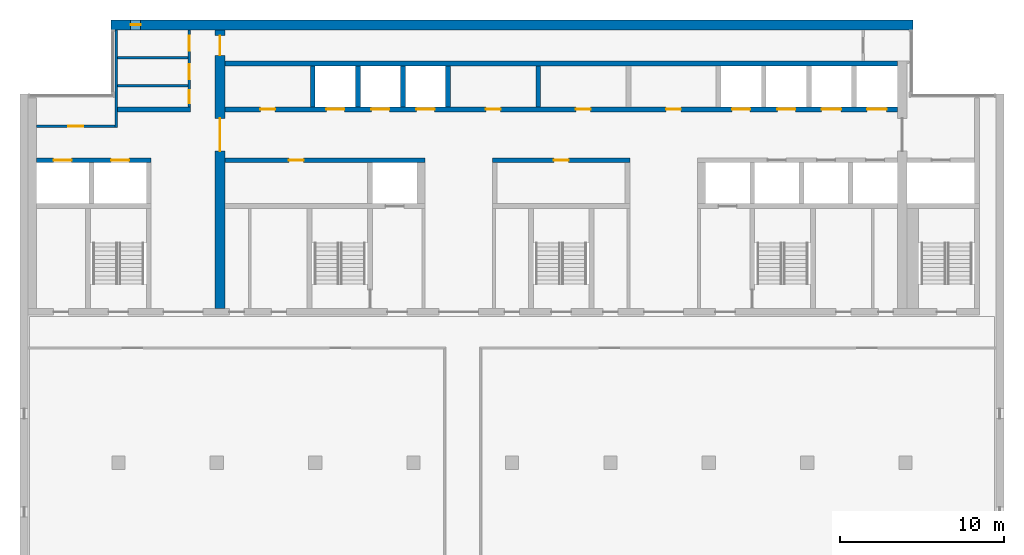
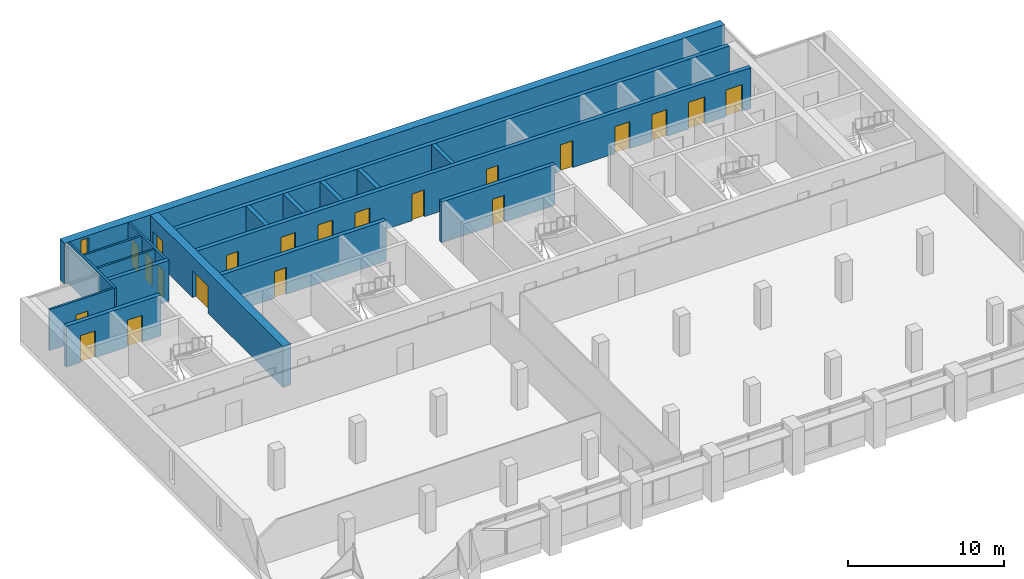
# One storey, part 10 of 14: 21 doors, 18 walls, 1 window, 22 openings.
"""IFC4 building model written with IfcOpenShell, lengths in metres."""

from ifc_helpers import new_model, si_unit, direction, frame, frame_2d, origin, place, context, subcontext, project, spatial, rectangle, extrude, material, layer, layer_set, type_object, element, fill, save


model = new_model("IFC4")

# Units and contexts
model_context = context("Model", 3, precision=1e-05, world=origin(), true_north=direction((0.0, 1.0)))
body_context = subcontext(model_context, "Body", "Model", "MODEL_VIEW")
ifc_project = project(units=[si_unit("LENGTHUNIT", "METRE"), si_unit("AREAUNIT", "SQUARE_METRE"), si_unit("VOLUMEUNIT", "CUBIC_METRE"), si_unit("PLANEANGLEUNIT", "RADIAN"), si_unit("MASSUNIT", "GRAM", prefix="KILO")], contexts=[model_context])

# Site, building, storey
site_placement = place(None, origin())
site = spatial("IfcSite", under=ifc_project, at=site_placement, CompositionType="ELEMENT")
building_placement = place(site_placement, origin())
building = spatial("IfcBuilding", under=site, at=building_placement, Name="Calvaro Tower", CompositionType="ELEMENT")
storey_placement = place(building_placement, frame((0.0, 0.0, 262.14990234375)))
storey = spatial("IfcBuildingStorey", under=building, at=storey_placement, Name="L66", CompositionType="ELEMENT", Elevation=262.14990234375)

# Walls
ifc_material_1 = material(Name="Blockwork partition", Category="masonry")
ifc_layer_1 = layer(ifc_material_1, 0.14990234375)
ifc_layer_set_1 = layer_set([ifc_layer_1], Name="Blockwork partition")
wall_type_1 = type_object("IfcWallType", Name="Core partition 150 EI 60", PredefinedType="PARTITIONING", material=ifc_layer_set_1)
for number, where, z_axis, x_axis, name in (
    (1, (11.949951171875, 42.0, 0.0), (0.0, 0.0, 1.0), (1.0, 0.0, 0.0), "Core partition"),
    (2, (11.949951171875, 43.699951171875, 0.0), (0.0, 0.0, 1.0), (1.0, 0.0, 0.0), "Core partition"),
):
    element("IfcWall", number, at=place(storey_placement, frame(where, z_axis=z_axis, x_axis=x_axis)), inside=storey, type_object=wall_type_1, Name=name, PredefinedType="PARTITIONING", context=body_context, shape_type="SweptSolid", body=[
        extrude(rectangle(XDim=4.300048828125, YDim=0.14990234375, at=frame_2d((2.14990234375, 0.0))), origin(), (0.0, 0.0, 1.0), 3.2001953125),
    ])

# Wall, openings, doors
ifc_material_2 = material(Name="Blockwork partition", Category="masonry")
ifc_layer_2 = layer(ifc_material_2, 0.14990234375)
ifc_layer_set_2 = layer_set([ifc_layer_2], Name="Blockwork partition")
wall_type_2 = type_object("IfcWallType", Name="Core partition 150 REI 120", PredefinedType="PARTITIONING", material=ifc_layer_set_2)
wall_1_placement = place(storey_placement, frame((16.324951171875, 45.39990234375, 0.0), z_axis=(0.0, 0.0, 1.0), x_axis=(0.0, -1.0, 0.0)))
wall_1 = element("IfcWall", 3, at=wall_1_placement, inside=storey, type_object=wall_type_2, Name="Core partition", PredefinedType="PARTITIONING", context=body_context, shape_type="SweptSolid", body=[
    extrude(rectangle(XDim=4.699951171875, YDim=0.14990234375, at=frame_2d((2.35009765625, 0.0))), origin(), (0.0, 0.0, 1.0), 3.2001953125),
])
opening_1_placement = place(wall_1_placement, frame((3.6875, 0.0, 0.0)))
opening_1 = element("IfcOpeningElement", 4, at=opening_1_placement, cuts=wall_1, Name="Opening RD8C", PredefinedType="OPENING", context=body_context, shape_type="SweptSolid", body=[
    extrude(rectangle(XDim=0.800048828125, YDim=2.10009765625, at=frame_2d((0.39990234375, 1.050048828125))), frame((0.0, 0.0849609375, 0.0), z_axis=(0.0, -1.0, 0.0), x_axis=(1.0, 0.0, 0.0)), (0.0, 0.0, 1.0), 0.169921875),
])
opening_2_placement = place(wall_1_placement, frame((2.10009765625, 0.0, 0.0)))
opening_2 = element("IfcOpeningElement", 5, at=opening_2_placement, cuts=wall_1, Name="Opening RD9", PredefinedType="OPENING", context=body_context, shape_type="SweptSolid", body=[
    extrude(rectangle(XDim=0.89990234375, YDim=2.10009765625, at=frame_2d((0.449951171875, 1.050048828125))), frame((0.0, 0.0849609375, 0.0), z_axis=(0.0, -1.0, 0.0), x_axis=(1.0, 0.0, 0.0)), (0.0, 0.0, 1.0), 0.169921875),
])
opening_3_placement = place(wall_1_placement, frame((0.362548828125, 0.0, 0.0)))
opening_3 = element("IfcOpeningElement", 6, at=opening_3_placement, cuts=wall_1, Name="Opening RD9", PredefinedType="OPENING", context=body_context, shape_type="SweptSolid", body=[
    extrude(rectangle(XDim=0.89990234375, YDim=2.10009765625, at=frame_2d((0.449951171875, 1.050048828125))), frame((0.0, 0.0849609375, 0.0), z_axis=(0.0, -1.0, 0.0), x_axis=(1.0, 0.0, 0.0)), (0.0, 0.0, 1.0), 0.169921875),
])
ifc_material_3 = material(Name="Steel door set", Category="steel")
door_type_1 = type_object("IfcDoorType", Name="Room door 800 FD30", OperationType="SINGLE_SWING_LEFT", PredefinedType="DOOR", material=ifc_material_3)
door_1_placement = place(opening_1_placement, origin())
door_1 = element("IfcDoor", 7, at=door_1_placement, inside=storey, type_object=door_type_1, Name="Room door", OperationType="SINGLE_SWING_RIGHT", OverallHeight=2.10009765625, OverallWidth=0.800048828125, PredefinedType="DOOR", context=body_context, shape_type="SweptSolid", body=[
    extrude(rectangle(XDim=0.800048828125, YDim=2.10009765625, at=frame_2d((0.39990234375, 1.050048828125))), frame((0.0, 0.02490234375, 0.0), z_axis=(0.0, -1.0, 0.0), x_axis=(1.0, 0.0, 0.0)), (0.0, 0.0, 1.0), 0.050048828125),
])
fill(opening_1, door_1)
ifc_material_4 = material(Name="Steel door set", Category="steel")
door_type_2 = type_object("IfcDoorType", Name="Room door 900", OperationType="SINGLE_SWING_LEFT", PredefinedType="DOOR", material=ifc_material_4)
door_2_placement = place(opening_2_placement, origin())
door_2 = element("IfcDoor", 8, at=door_2_placement, inside=storey, type_object=door_type_2, Name="Room door", OperationType="SINGLE_SWING_RIGHT", OverallHeight=2.10009765625, OverallWidth=0.89990234375, PredefinedType="DOOR", context=body_context, shape_type="SweptSolid", body=[
    extrude(rectangle(XDim=0.89990234375, YDim=2.10009765625, at=frame_2d((0.449951171875, 1.050048828125))), frame((0.0, 0.02490234375, 0.0), z_axis=(0.0, -1.0, 0.0), x_axis=(1.0, 0.0, 0.0)), (0.0, 0.0, 1.0), 0.050048828125),
])
fill(opening_2, door_2)
door_3_placement = place(opening_3_placement, origin())
door_3 = element("IfcDoor", 9, at=door_3_placement, inside=storey, type_object=door_type_2, Name="Room door", OperationType="SINGLE_SWING_RIGHT", OverallHeight=2.10009765625, OverallWidth=0.89990234375, PredefinedType="DOOR", context=body_context, shape_type="SweptSolid", body=[
    extrude(rectangle(XDim=0.89990234375, YDim=2.10009765625, at=frame_2d((0.449951171875, 1.050048828125))), frame((0.0, 0.02490234375, 0.0), z_axis=(0.0, -1.0, 0.0), x_axis=(1.0, 0.0, 0.0)), (0.0, 0.0, 1.0), 0.050048828125),
])
fill(opening_3, door_3)

# Wall
wall_2_placement = place(storey_placement, frame((11.875, 39.449951171875, 0.0), z_axis=(0.0, 0.0, 1.0), x_axis=(0.0, 1.0, 0.0)))
element("IfcWall", 10, at=wall_2_placement, inside=storey, type_object=wall_type_2, Name="Core partition", PredefinedType="PARTITIONING", context=body_context, shape_type="SweptSolid", body=[
    extrude(rectangle(XDim=5.949951171875, YDim=0.14990234375, at=frame_2d((2.97509765625, 0.0))), origin(), (0.0, 0.0, 1.0), 3.2001953125),
])

# Wall, opening, door
wall_3_placement = place(storey_placement, frame((7.0, 39.52490234375, 0.0), z_axis=(0.0, 0.0, 1.0), x_axis=(1.0, 0.0, 0.0)))
wall_3 = element("IfcWall", 11, at=wall_3_placement, inside=storey, type_object=wall_type_2, Name="Core partition", PredefinedType="PARTITIONING", context=body_context, shape_type="SweptSolid", body=[
    extrude(rectangle(XDim=4.800048828125, YDim=0.14990234375, at=frame_2d((2.39990234375, 0.0))), origin(), (0.0, 0.0, 1.0), 3.2001953125),
])
opening_4_placement = place(wall_3_placement, frame((1.949951171875, 0.0, 0.0)))
opening_4 = element("IfcOpeningElement", 12, at=opening_4_placement, cuts=wall_3, Name="Opening RD9", PredefinedType="OPENING", context=body_context, shape_type="SweptSolid", body=[
    extrude(rectangle(XDim=0.89990234375, YDim=2.10009765625, at=frame_2d((0.449951171875, 1.050048828125))), frame((0.0, 0.0849609375, 0.0), z_axis=(0.0, -1.0, 0.0), x_axis=(1.0, 0.0, 0.0)), (0.0, 0.0, 1.0), 0.169921875),
])
door_4_placement = place(opening_4_placement, origin())
door_4 = element("IfcDoor", 13, at=door_4_placement, inside=storey, type_object=door_type_2, Name="Room door", OperationType="SINGLE_SWING_LEFT", OverallHeight=2.10009765625, OverallWidth=0.89990234375, PredefinedType="DOOR", context=body_context, shape_type="SweptSolid", body=[
    extrude(rectangle(XDim=0.89990234375, YDim=2.10009765625, at=frame_2d((0.449951171875, 1.050048828125))), frame((0.0, 0.02490234375, 0.0), z_axis=(0.0, -1.0, 0.0), x_axis=(1.0, 0.0, 0.0)), (0.0, 0.0, 1.0), 0.050048828125),
])
fill(opening_4, door_4)

# Walls
ifc_material_5 = material(Name="Blockwork partition", Category="masonry")
ifc_layer_3 = layer(ifc_material_5, 0.300048828125)
ifc_layer_set_3 = layer_set([ifc_layer_3], Name="Blockwork partition")
wall_type_3 = type_object("IfcWallType", Name="Core partition 300 REI 120", PredefinedType="PARTITIONING", material=ifc_layer_set_3)
wall_4_placement = place(storey_placement, frame((11.949951171875, 40.550048828125, 0.0), z_axis=(0.0, 0.0, 1.0), x_axis=(1.0, 0.0, 0.0)))
element("IfcWall", 14, at=wall_4_placement, inside=storey, type_object=wall_type_3, Name="Core partition", PredefinedType="PARTITIONING", context=body_context, shape_type="SweptSolid", body=[
    extrude(rectangle(XDim=4.449951171875, YDim=0.300048828125, at=frame_2d((2.22509765625, 0.0))), origin(), (0.0, 0.0, 1.0), 3.2001953125),
])
wall_5_placement = place(storey_placement, frame((37.60009765625, 40.699951171875, 0.0), z_axis=(0.0, 0.0, 1.0), x_axis=(0.0, 1.0, 0.0)))
element("IfcWall", 15, at=wall_5_placement, inside=storey, type_object=wall_type_3, Name="Core partition", PredefinedType="PARTITIONING", context=body_context, shape_type="SweptSolid", body=[
    extrude(rectangle(XDim=2.5, YDim=0.300048828125, at=frame_2d((1.25, 0.0))), origin(), (0.0, 0.0, 1.0), 3.2001953125),
])

# Wall, openings, doors
ifc_material_6 = material(Name="Concrete C40/50", Category="concrete")
ifc_layer_4 = layer(ifc_material_6, 0.300048828125)
ifc_layer_set_4 = layer_set([ifc_layer_4], Name="Concrete C40/50")
wall_type_4 = type_object("IfcWallType", Name="Core wall C40/50 300", PredefinedType="SHEAR", material=ifc_layer_set_4)
wall_6_placement = place(storey_placement, frame((7.0, 37.449951171875, 0.0), z_axis=(0.0, 0.0, 1.0), x_axis=(1.0, 0.0, 0.0)))
wall_6 = element("IfcWall", 16, at=wall_6_placement, inside=storey, type_object=wall_type_4, Name="Core wall, lift shaft", PredefinedType="SHEAR", context=body_context, shape_type="SweptSolid", body=[
    extrude(rectangle(XDim=7.0, YDim=0.300048828125, at=frame_2d((3.5, 0.0))), origin(), (0.0, 0.0, 1.0), 3.2001953125),
])
opening_5_placement = place(wall_6_placement, frame((1.050048828125, 0.0, 0.0)))
opening_5 = element("IfcOpeningElement", 17, at=opening_5_placement, cuts=wall_6, Name="Opening EX1", PredefinedType="OPENING", context=body_context, shape_type="SweptSolid", body=[
    extrude(rectangle(XDim=1.10009765625, YDim=2.10009765625, at=frame_2d((0.550048828125, 1.050048828125))), frame((0.0, 0.159912109375, 0.0), z_axis=(0.0, -1.0, 0.0), x_axis=(1.0, 0.0, 0.0)), (0.0, 0.0, 1.0), 0.320068359375),
])
opening_6_placement = place(wall_6_placement, frame((4.550048828125, 0.0, 0.0)))
opening_6 = element("IfcOpeningElement", 18, at=opening_6_placement, cuts=wall_6, Name="Opening EX2", PredefinedType="OPENING", context=body_context, shape_type="SweptSolid", body=[
    extrude(rectangle(XDim=1.10009765625, YDim=2.10009765625, at=frame_2d((0.550048828125, 1.050048828125))), frame((0.0, 0.159912109375, 0.0), z_axis=(0.0, -1.0, 0.0), x_axis=(1.0, 0.0, 0.0)), (0.0, 0.0, 1.0), 0.320068359375),
])
ifc_material_7 = material(Name="Stainless steel", Category="steel")
door_type_3 = type_object("IfcDoorType", Name="Landing door 1100 E 60", OperationType="SLIDING_TO_LEFT", PredefinedType="DOOR", material=ifc_material_7)
door_5_placement = place(opening_5_placement, origin())
door_5 = element("IfcDoor", 19, at=door_5_placement, inside=storey, type_object=door_type_3, Name="Landing door EX1", OperationType="SLIDING_TO_LEFT", OverallHeight=2.10009765625, OverallWidth=1.10009765625, PredefinedType="DOOR", context=body_context, shape_type="SweptSolid", body=[
    extrude(rectangle(XDim=1.10009765625, YDim=2.10009765625, at=frame_2d((0.550048828125, 1.050048828125))), frame((0.0, 0.02490234375, 0.0), z_axis=(0.0, -1.0, 0.0), x_axis=(1.0, 0.0, 0.0)), (0.0, 0.0, 1.0), 0.050048828125),
])
fill(opening_5, door_5)
door_6_placement = place(opening_6_placement, origin())
door_6 = element("IfcDoor", 20, at=door_6_placement, inside=storey, type_object=door_type_3, Name="Landing door EX2", OperationType="SLIDING_TO_LEFT", OverallHeight=2.10009765625, OverallWidth=1.10009765625, PredefinedType="DOOR", context=body_context, shape_type="SweptSolid", body=[
    extrude(rectangle(XDim=1.10009765625, YDim=2.10009765625, at=frame_2d((0.550048828125, 1.050048828125))), frame((0.0, 0.02490234375, 0.0), z_axis=(0.0, -1.0, 0.0), x_axis=(1.0, 0.0, 0.0)), (0.0, 0.0, 1.0), 0.050048828125),
])
fill(opening_6, door_6)

# Wall, opening, door
wall_7_placement = place(storey_placement, frame((30.699951171875, 37.449951171875, 0.0), z_axis=(0.0, 0.0, 1.0), x_axis=(-1.0, 0.0, 0.0)))
wall_7 = element("IfcWall", 21, at=wall_7_placement, inside=storey, type_object=wall_type_4, Name="Core wall, bay", PredefinedType="SHEAR", context=body_context, shape_type="SweptSolid", body=[
    extrude(rectangle(XDim=12.199951171875, YDim=0.300048828125, at=frame_2d((6.10009765625, 0.0))), origin(), (0.0, 0.0, 1.0), 3.2001953125),
])
opening_7_placement = place(wall_7_placement, frame((7.39990234375, 0.0, 0.0)))
opening_7 = element("IfcOpeningElement", 22, at=opening_7_placement, cuts=wall_7, Name="Opening RD9E", PredefinedType="OPENING", context=body_context, shape_type="SweptSolid", body=[
    extrude(rectangle(XDim=0.89990234375, YDim=2.10009765625, at=frame_2d((0.449951171875, 1.050048828125))), frame((0.0, 0.159912109375, 0.0), z_axis=(0.0, -1.0, 0.0), x_axis=(1.0, 0.0, 0.0)), (0.0, 0.0, 1.0), 0.320068359375),
])
ifc_material_8 = material(Name="Steel door set", Category="steel")
door_type_4 = type_object("IfcDoorType", Name="Room door 900 FD60", OperationType="SINGLE_SWING_LEFT", PredefinedType="DOOR", material=ifc_material_8)
door_7_placement = place(opening_7_placement, origin())
door_7 = element("IfcDoor", 23, at=door_7_placement, inside=storey, type_object=door_type_4, Name="Room door", OperationType="SINGLE_SWING_LEFT", OverallHeight=2.10009765625, OverallWidth=0.89990234375, PredefinedType="DOOR", context=body_context, shape_type="SweptSolid", body=[
    extrude(rectangle(XDim=0.89990234375, YDim=2.10009765625, at=frame_2d((0.449951171875, 1.050048828125))), frame((0.0, 0.02490234375, 0.0), z_axis=(0.0, -1.0, 0.0), x_axis=(1.0, 0.0, 0.0)), (0.0, 0.0, 1.0), 0.050048828125),
])
fill(opening_7, door_7)

wall_8_placement = place(storey_placement, frame((43.199951171875, 37.449951171875, 0.0), z_axis=(0.0, 0.0, 1.0), x_axis=(-1.0, 0.0, 0.0)))
wall_8 = element("IfcWall", 24, at=wall_8_placement, inside=storey, type_object=wall_type_4, Name="Core wall, bay", PredefinedType="SHEAR", context=body_context, shape_type="SweptSolid", body=[
    extrude(rectangle(XDim=8.39990234375, YDim=0.300048828125, at=frame_2d((4.199951171875, 0.0))), origin(), (0.0, 0.0, 1.0), 3.2001953125),
])
opening_8_placement = place(wall_8_placement, frame((3.75, 0.0, 0.0)))
opening_8 = element("IfcOpeningElement", 25, at=opening_8_placement, cuts=wall_8, Name="Opening RD9E", PredefinedType="OPENING", context=body_context, shape_type="SweptSolid", body=[
    extrude(rectangle(XDim=0.89990234375, YDim=2.10009765625, at=frame_2d((0.449951171875, 1.050048828125))), frame((0.0, 0.159912109375, 0.0), z_axis=(0.0, -1.0, 0.0), x_axis=(1.0, 0.0, 0.0)), (0.0, 0.0, 1.0), 0.320068359375),
])
door_8_placement = place(opening_8_placement, origin())
door_8 = element("IfcDoor", 26, at=door_8_placement, inside=storey, type_object=door_type_4, Name="Room door", OperationType="SINGLE_SWING_RIGHT", OverallHeight=2.10009765625, OverallWidth=0.89990234375, PredefinedType="DOOR", context=body_context, shape_type="SweptSolid", body=[
    extrude(rectangle(XDim=0.89990234375, YDim=2.10009765625, at=frame_2d((0.449951171875, 1.050048828125))), frame((0.0, 0.02490234375, 0.0), z_axis=(0.0, -1.0, 0.0), x_axis=(1.0, 0.0, 0.0)), (0.0, 0.0, 1.0), 0.050048828125),
])
fill(opening_8, door_8)

# Wall, openings, doors
wall_9_placement = place(storey_placement, frame((18.5, 40.550048828125, 0.0), z_axis=(0.0, 0.0, 1.0), x_axis=(1.0, 0.0, 0.0)))
wall_9 = element("IfcWall", 27, at=wall_9_placement, inside=storey, type_object=wall_type_4, Name="Core wall, bay", PredefinedType="SHEAR", context=body_context, shape_type="SweptSolid", body=[
    extrude(rectangle(XDim=41.0, YDim=0.300048828125, at=frame_2d((20.5, 0.0))), origin(), (0.0, 0.0, 1.0), 3.2001953125),
])
opening_9_placement = place(wall_9_placement, frame((2.14990234375, 0.0, 0.0)))
opening_9 = element("IfcOpeningElement", 28, at=opening_9_placement, cuts=wall_9, Name="Opening RD9E", PredefinedType="OPENING", context=body_context, shape_type="SweptSolid", body=[
    extrude(rectangle(XDim=0.89990234375, YDim=2.10009765625, at=frame_2d((0.449951171875, 1.050048828125))), frame((0.0, 0.159912109375, 0.0), z_axis=(0.0, -1.0, 0.0), x_axis=(1.0, 0.0, 0.0)), (0.0, 0.0, 1.0), 0.320068359375),
])
opening_10_placement = place(wall_9_placement, frame((15.89990234375, 0.0, 0.0)))
opening_10 = element("IfcOpeningElement", 29, at=opening_10_placement, cuts=wall_9, Name="Opening RD9E", PredefinedType="OPENING", context=body_context, shape_type="SweptSolid", body=[
    extrude(rectangle(XDim=0.89990234375, YDim=2.10009765625, at=frame_2d((0.449951171875, 1.050048828125))), frame((0.0, 0.159912109375, 0.0), z_axis=(0.0, -1.0, 0.0), x_axis=(1.0, 0.0, 0.0)), (0.0, 0.0, 1.0), 0.320068359375),
])
opening_11_placement = place(wall_9_placement, frame((21.39990234375, 0.0, 0.0)))
opening_11 = element("IfcOpeningElement", 30, at=opening_11_placement, cuts=wall_9, Name="Opening RD9E", PredefinedType="OPENING", context=body_context, shape_type="SweptSolid", body=[
    extrude(rectangle(XDim=0.89990234375, YDim=2.10009765625, at=frame_2d((0.449951171875, 1.050048828125))), frame((0.0, 0.159912109375, 0.0), z_axis=(0.0, -1.0, 0.0), x_axis=(1.0, 0.0, 0.0)), (0.0, 0.0, 1.0), 0.320068359375),
])
opening_12_placement = place(wall_9_placement, frame((26.89990234375, 0.0, 0.0)))
opening_12 = element("IfcOpeningElement", 31, at=opening_12_placement, cuts=wall_9, Name="Opening RD9C", PredefinedType="OPENING", context=body_context, shape_type="SweptSolid", body=[
    extrude(rectangle(XDim=0.89990234375, YDim=2.10009765625, at=frame_2d((0.449951171875, 1.050048828125))), frame((0.0, 0.159912109375, 0.0), z_axis=(0.0, -1.0, 0.0), x_axis=(1.0, 0.0, 0.0)), (0.0, 0.0, 1.0), 0.320068359375),
])
opening_13_placement = place(wall_9_placement, frame((6.175048828125, 0.0, 0.0)))
opening_13 = element("IfcOpeningElement", 32, at=opening_13_placement, cuts=wall_9, Name="Opening HR4", PredefinedType="OPENING", context=body_context, shape_type="SweptSolid", body=[
    extrude(rectangle(XDim=1.10009765625, YDim=2.10009765625, at=frame_2d((0.550048828125, 1.050048828125))), frame((0.0, 0.159912109375, 0.0), z_axis=(0.0, -1.0, 0.0), x_axis=(1.0, 0.0, 0.0)), (0.0, 0.0, 1.0), 0.320068359375),
])
opening_14_placement = place(wall_9_placement, frame((8.925048828125, 0.0, 0.0)))
opening_14 = element("IfcOpeningElement", 33, at=opening_14_placement, cuts=wall_9, Name="Opening HR5", PredefinedType="OPENING", context=body_context, shape_type="SweptSolid", body=[
    extrude(rectangle(XDim=1.10009765625, YDim=2.10009765625, at=frame_2d((0.550048828125, 1.050048828125))), frame((0.0, 0.159912109375, 0.0), z_axis=(0.0, -1.0, 0.0), x_axis=(1.0, 0.0, 0.0)), (0.0, 0.0, 1.0), 0.320068359375),
])
opening_15_placement = place(wall_9_placement, frame((11.675048828125, 0.0, 0.0)))
opening_15 = element("IfcOpeningElement", 34, at=opening_15_placement, cuts=wall_9, Name="Opening HR6", PredefinedType="OPENING", context=body_context, shape_type="SweptSolid", body=[
    extrude(rectangle(XDim=1.10009765625, YDim=2.10009765625, at=frame_2d((0.550048828125, 1.050048828125))), frame((0.0, 0.159912109375, 0.0), z_axis=(0.0, -1.0, 0.0), x_axis=(1.0, 0.0, 0.0)), (0.0, 0.0, 1.0), 0.320068359375),
])
opening_16_placement = place(wall_9_placement, frame((30.925048828125, 0.0, 0.0)))
opening_16 = element("IfcOpeningElement", 35, at=opening_16_placement, cuts=wall_9, Name="Opening HR7", PredefinedType="OPENING", context=body_context, shape_type="SweptSolid", body=[
    extrude(rectangle(XDim=1.10009765625, YDim=2.10009765625, at=frame_2d((0.550048828125, 1.050048828125))), frame((0.0, 0.159912109375, 0.0), z_axis=(0.0, -1.0, 0.0), x_axis=(1.0, 0.0, 0.0)), (0.0, 0.0, 1.0), 0.320068359375),
])
opening_17_placement = place(wall_9_placement, frame((33.675048828125, 0.0, 0.0)))
opening_17 = element("IfcOpeningElement", 36, at=opening_17_placement, cuts=wall_9, Name="Opening HR8", PredefinedType="OPENING", context=body_context, shape_type="SweptSolid", body=[
    extrude(rectangle(XDim=1.10009765625, YDim=2.10009765625, at=frame_2d((0.550048828125, 1.050048828125))), frame((0.0, 0.159912109375, 0.0), z_axis=(0.0, -1.0, 0.0), x_axis=(1.0, 0.0, 0.0)), (0.0, 0.0, 1.0), 0.320068359375),
])
opening_18_placement = place(wall_9_placement, frame((36.375, 0.0, 0.0)))
opening_18 = element("IfcOpeningElement", 37, at=opening_18_placement, cuts=wall_9, Name="Opening SV1", PredefinedType="OPENING", context=body_context, shape_type="SweptSolid", body=[
    extrude(rectangle(XDim=1.199951171875, YDim=2.10009765625, at=frame_2d((0.60009765625, 1.050048828125))), frame((0.0, 0.159912109375, 0.0), z_axis=(0.0, -1.0, 0.0), x_axis=(1.0, 0.0, 0.0)), (0.0, 0.0, 1.0), 0.320068359375),
])
opening_19_placement = place(wall_9_placement, frame((39.14990234375, 0.0, 0.0)))
opening_19 = element("IfcOpeningElement", 38, at=opening_19_placement, cuts=wall_9, Name="Opening SV2", PredefinedType="OPENING", context=body_context, shape_type="SweptSolid", body=[
    extrude(rectangle(XDim=1.199951171875, YDim=2.10009765625, at=frame_2d((0.60009765625, 1.050048828125))), frame((0.0, 0.159912109375, 0.0), z_axis=(0.0, -1.0, 0.0), x_axis=(1.0, 0.0, 0.0)), (0.0, 0.0, 1.0), 0.320068359375),
])
door_9_placement = place(opening_13_placement, origin())
door_9 = element("IfcDoor", 39, at=door_9_placement, inside=storey, type_object=door_type_3, Name="Landing door HR4", OperationType="SLIDING_TO_LEFT", OverallHeight=2.10009765625, OverallWidth=1.10009765625, PredefinedType="DOOR", context=body_context, shape_type="SweptSolid", body=[
    extrude(rectangle(XDim=1.10009765625, YDim=2.10009765625, at=frame_2d((0.550048828125, 1.050048828125))), frame((0.0, 0.02490234375, 0.0), z_axis=(0.0, -1.0, 0.0), x_axis=(1.0, 0.0, 0.0)), (0.0, 0.0, 1.0), 0.050048828125),
])
fill(opening_13, door_9)
door_10_placement = place(opening_14_placement, origin())
door_10 = element("IfcDoor", 40, at=door_10_placement, inside=storey, type_object=door_type_3, Name="Landing door HR5", OperationType="SLIDING_TO_LEFT", OverallHeight=2.10009765625, OverallWidth=1.10009765625, PredefinedType="DOOR", context=body_context, shape_type="SweptSolid", body=[
    extrude(rectangle(XDim=1.10009765625, YDim=2.10009765625, at=frame_2d((0.550048828125, 1.050048828125))), frame((0.0, 0.02490234375, 0.0), z_axis=(0.0, -1.0, 0.0), x_axis=(1.0, 0.0, 0.0)), (0.0, 0.0, 1.0), 0.050048828125),
])
fill(opening_14, door_10)
door_11_placement = place(opening_15_placement, origin())
door_11 = element("IfcDoor", 41, at=door_11_placement, inside=storey, type_object=door_type_3, Name="Landing door HR6", OperationType="SLIDING_TO_LEFT", OverallHeight=2.10009765625, OverallWidth=1.10009765625, PredefinedType="DOOR", context=body_context, shape_type="SweptSolid", body=[
    extrude(rectangle(XDim=1.10009765625, YDim=2.10009765625, at=frame_2d((0.550048828125, 1.050048828125))), frame((0.0, 0.02490234375, 0.0), z_axis=(0.0, -1.0, 0.0), x_axis=(1.0, 0.0, 0.0)), (0.0, 0.0, 1.0), 0.050048828125),
])
fill(opening_15, door_11)
door_12_placement = place(opening_16_placement, origin())
door_12 = element("IfcDoor", 42, at=door_12_placement, inside=storey, type_object=door_type_3, Name="Landing door HR7", OperationType="SLIDING_TO_LEFT", OverallHeight=2.10009765625, OverallWidth=1.10009765625, PredefinedType="DOOR", context=body_context, shape_type="SweptSolid", body=[
    extrude(rectangle(XDim=1.10009765625, YDim=2.10009765625, at=frame_2d((0.550048828125, 1.050048828125))), frame((0.0, 0.02490234375, 0.0), z_axis=(0.0, -1.0, 0.0), x_axis=(1.0, 0.0, 0.0)), (0.0, 0.0, 1.0), 0.050048828125),
])
fill(opening_16, door_12)
door_13_placement = place(opening_17_placement, origin())
door_13 = element("IfcDoor", 43, at=door_13_placement, inside=storey, type_object=door_type_3, Name="Landing door HR8", OperationType="SLIDING_TO_LEFT", OverallHeight=2.10009765625, OverallWidth=1.10009765625, PredefinedType="DOOR", context=body_context, shape_type="SweptSolid", body=[
    extrude(rectangle(XDim=1.10009765625, YDim=2.10009765625, at=frame_2d((0.550048828125, 1.050048828125))), frame((0.0, 0.02490234375, 0.0), z_axis=(0.0, -1.0, 0.0), x_axis=(1.0, 0.0, 0.0)), (0.0, 0.0, 1.0), 0.050048828125),
])
fill(opening_17, door_13)
ifc_material_9 = material(Name="Stainless steel", Category="steel")
door_type_5 = type_object("IfcDoorType", Name="Landing door 1200 E 60", OperationType="SLIDING_TO_LEFT", PredefinedType="DOOR", material=ifc_material_9)
door_14_placement = place(opening_18_placement, origin())
door_14 = element("IfcDoor", 44, at=door_14_placement, inside=storey, type_object=door_type_5, Name="Landing door SV1", OperationType="SLIDING_TO_LEFT", OverallHeight=2.10009765625, OverallWidth=1.199951171875, PredefinedType="DOOR", context=body_context, shape_type="SweptSolid", body=[
    extrude(rectangle(XDim=1.199951171875, YDim=2.10009765625, at=frame_2d((0.60009765625, 1.050048828125))), frame((0.0, 0.02490234375, 0.0), z_axis=(0.0, -1.0, 0.0), x_axis=(1.0, 0.0, 0.0)), (0.0, 0.0, 1.0), 0.050048828125),
])
fill(opening_18, door_14)
door_15_placement = place(opening_19_placement, origin())
door_15 = element("IfcDoor", 45, at=door_15_placement, inside=storey, type_object=door_type_5, Name="Landing door SV2", OperationType="SLIDING_TO_LEFT", OverallHeight=2.10009765625, OverallWidth=1.199951171875, PredefinedType="DOOR", context=body_context, shape_type="SweptSolid", body=[
    extrude(rectangle(XDim=1.199951171875, YDim=2.10009765625, at=frame_2d((0.60009765625, 1.050048828125))), frame((0.0, 0.02490234375, 0.0), z_axis=(0.0, -1.0, 0.0), x_axis=(1.0, 0.0, 0.0)), (0.0, 0.0, 1.0), 0.050048828125),
])
fill(opening_19, door_15)
ifc_material_10 = material(Name="Steel door set", Category="steel")
door_type_6 = type_object("IfcDoorType", Name="Room door 900 FD30", OperationType="SINGLE_SWING_LEFT", PredefinedType="DOOR", material=ifc_material_10)
door_16_placement = place(opening_12_placement, origin())
door_16 = element("IfcDoor", 46, at=door_16_placement, inside=storey, type_object=door_type_6, Name="Room door", OperationType="SINGLE_SWING_LEFT", OverallHeight=2.10009765625, OverallWidth=0.89990234375, PredefinedType="DOOR", context=body_context, shape_type="SweptSolid", body=[
    extrude(rectangle(XDim=0.89990234375, YDim=2.10009765625, at=frame_2d((0.449951171875, 1.050048828125))), frame((0.0, 0.02490234375, 0.0), z_axis=(0.0, -1.0, 0.0), x_axis=(1.0, 0.0, 0.0)), (0.0, 0.0, 1.0), 0.050048828125),
])
fill(opening_12, door_16)
door_17_placement = place(opening_9_placement, origin())
door_17 = element("IfcDoor", 47, at=door_17_placement, inside=storey, type_object=door_type_4, Name="Room door", OperationType="SINGLE_SWING_RIGHT", OverallHeight=2.10009765625, OverallWidth=0.89990234375, PredefinedType="DOOR", context=body_context, shape_type="SweptSolid", body=[
    extrude(rectangle(XDim=0.89990234375, YDim=2.10009765625, at=frame_2d((0.449951171875, 1.050048828125))), frame((0.0, 0.02490234375, 0.0), z_axis=(0.0, -1.0, 0.0), x_axis=(1.0, 0.0, 0.0)), (0.0, 0.0, 1.0), 0.050048828125),
])
fill(opening_9, door_17)
door_18_placement = place(opening_10_placement, origin())
door_18 = element("IfcDoor", 48, at=door_18_placement, inside=storey, type_object=door_type_4, Name="Room door", OperationType="SINGLE_SWING_LEFT", OverallHeight=2.10009765625, OverallWidth=0.89990234375, PredefinedType="DOOR", context=body_context, shape_type="SweptSolid", body=[
    extrude(rectangle(XDim=0.89990234375, YDim=2.10009765625, at=frame_2d((0.449951171875, 1.050048828125))), frame((0.0, 0.02490234375, 0.0), z_axis=(0.0, -1.0, 0.0), x_axis=(1.0, 0.0, 0.0)), (0.0, 0.0, 1.0), 0.050048828125),
])
fill(opening_10, door_18)
door_19_placement = place(opening_11_placement, origin())
door_19 = element("IfcDoor", 49, at=door_19_placement, inside=storey, type_object=door_type_4, Name="Room door", OperationType="SINGLE_SWING_LEFT", OverallHeight=2.10009765625, OverallWidth=0.89990234375, PredefinedType="DOOR", context=body_context, shape_type="SweptSolid", body=[
    extrude(rectangle(XDim=0.89990234375, YDim=2.10009765625, at=frame_2d((0.449951171875, 1.050048828125))), frame((0.0, 0.02490234375, 0.0), z_axis=(0.0, -1.0, 0.0), x_axis=(1.0, 0.0, 0.0)), (0.0, 0.0, 1.0), 0.050048828125),
])
fill(opening_11, door_19)

# Walls
wall_10_placement = place(storey_placement, frame((18.5, 43.35009765625, 0.0), z_axis=(0.0, 0.0, 1.0), x_axis=(1.0, 0.0, 0.0)))
element("IfcWall", 50, at=wall_10_placement, inside=storey, type_object=wall_type_4, Name="Core wall, lift shaft", PredefinedType="SHEAR", context=body_context, shape_type="SweptSolid", body=[
    extrude(rectangle(XDim=41.0, YDim=0.300048828125, at=frame_2d((20.5, 0.0))), origin(), (0.0, 0.0, 1.0), 3.2001953125),
])
for number, where, z_axis, x_axis, name in (
    (51, (23.85009765625, 40.699951171875, 0.0), (0.0, 0.0, 1.0), (0.0, 1.0, 0.0), "Core wall, lift shaft"),
    (52, (26.60009765625, 40.699951171875, 0.0), (0.0, 0.0, 1.0), (0.0, 1.0, 0.0), "Core wall, lift shaft"),
    (53, (29.35009765625, 40.699951171875, 0.0), (0.0, 0.0, 1.0), (0.0, 1.0, 0.0), "Core wall, lift shaft"),
    (54, (32.10009765625, 40.699951171875, 0.0), (0.0, 0.0, 1.0), (0.0, 1.0, 0.0), "Core wall, lift shaft"),
):
    element("IfcWall", number, at=place(storey_placement, frame(where, z_axis=z_axis, x_axis=x_axis)), inside=storey, type_object=wall_type_4, Name=name, PredefinedType="SHEAR", context=body_context, shape_type="SweptSolid", body=[
        extrude(rectangle(XDim=2.5, YDim=0.300048828125, at=frame_2d((1.25, 0.0))), origin(), (0.0, 0.0, 1.0), 3.2001953125),
    ])

# Wall, openings, doors
ifc_material_11 = material(Name="Concrete C40/50", Category="concrete")
ifc_layer_5 = layer(ifc_material_11, 0.60009765625)
ifc_layer_set_5 = layer_set([ifc_layer_5], Name="Concrete C40/50")
wall_type_5 = type_object("IfcWallType", Name="Core wall C40/50 600", PredefinedType="SHEAR", material=ifc_layer_set_5)
wall_11_placement = place(storey_placement, frame((18.199951171875, 28.39990234375, 0.0), z_axis=(0.0, 0.0, 1.0), x_axis=(0.0, 1.0, 0.0)))
wall_11 = element("IfcWall", 55, at=wall_11_placement, inside=storey, type_object=wall_type_5, Name="Core wall, cross shear wall", PredefinedType="SHEAR", context=body_context, shape_type="SweptSolid", body=[
    extrude(rectangle(XDim=17.0, YDim=0.60009765625, at=frame_2d((8.5, 0.0))), origin(), (0.0, 0.0, 1.0), 3.2001953125),
])
opening_20_placement = place(wall_11_placement, frame((9.60009765625, 0.0, 0.0)))
opening_20 = element("IfcOpeningElement", 56, at=opening_20_placement, cuts=wall_11, Name="Opening DD20D", PredefinedType="OPENING", context=body_context, shape_type="SweptSolid", body=[
    extrude(rectangle(XDim=2.0, YDim=2.10009765625, at=frame_2d((1.0, 1.050048828125))), frame((0.0, 0.31005859375, 0.0), z_axis=(0.0, -1.0, 0.0), x_axis=(1.0, 0.0, 0.0)), (0.0, 0.0, 1.0), 0.6201171875),
])
opening_21_placement = place(wall_11_placement, frame((15.449951171875, 0.0, 0.0)))
opening_21 = element("IfcOpeningElement", 57, at=opening_21_placement, cuts=wall_11, Name="Opening FD12C", PredefinedType="OPENING", context=body_context, shape_type="SweptSolid", body=[
    extrude(rectangle(XDim=1.199951171875, YDim=2.10009765625, at=frame_2d((0.60009765625, 1.050048828125))), frame((0.0, 0.31005859375, 0.0), z_axis=(0.0, -1.0, 0.0), x_axis=(1.0, 0.0, 0.0)), (0.0, 0.0, 1.0), 0.6201171875),
])
ifc_material_12 = material(Name="Steel door set", Category="steel")
door_type_7 = type_object("IfcDoorType", Name="Fire door 1200 FD30", OperationType="SINGLE_SWING_LEFT", PredefinedType="DOOR", material=ifc_material_12)
door_20_placement = place(opening_21_placement, origin())
door_20 = element("IfcDoor", 58, at=door_20_placement, inside=storey, type_object=door_type_7, Name="Fire door", OperationType="SINGLE_SWING_RIGHT", OverallHeight=2.10009765625, OverallWidth=1.199951171875, PredefinedType="DOOR", context=body_context, shape_type="SweptSolid", body=[
    extrude(rectangle(XDim=1.199951171875, YDim=2.10009765625, at=frame_2d((0.60009765625, 1.050048828125))), frame((0.0, 0.02490234375, 0.0), z_axis=(0.0, -1.0, 0.0), x_axis=(1.0, 0.0, 0.0)), (0.0, 0.0, 1.0), 0.050048828125),
])
fill(opening_21, door_20)
ifc_material_13 = material(Name="Steel door set", Category="steel")
door_type_8 = type_object("IfcDoorType", Name="Lobby double door 2000 FD30S", OperationType="DOUBLE_DOOR_SINGLE_SWING", PredefinedType="DOOR", material=ifc_material_13)
door_21_placement = place(opening_20_placement, origin())
door_21 = element("IfcDoor", 59, at=door_21_placement, inside=storey, type_object=door_type_8, Name="Lobby double door", OperationType="DOUBLE_DOOR_SINGLE_SWING", OverallHeight=2.10009765625, OverallWidth=2.0, PredefinedType="DOOR", context=body_context, shape_type="SweptSolid", body=[
    extrude(rectangle(XDim=2.0, YDim=2.10009765625, at=frame_2d((1.0, 1.050048828125))), frame((0.0, 0.02490234375, 0.0), z_axis=(0.0, -1.0, 0.0), x_axis=(1.0, 0.0, 0.0)), (0.0, 0.0, 1.0), 0.050048828125),
])
fill(opening_20, door_21)

# Wall, opening, window
ifc_material_14 = material(Name="Concrete C40/50", Category="concrete")
ifc_layer_6 = layer(ifc_material_14, 0.60009765625)
ifc_layer_set_6 = layer_set([ifc_layer_6], Name="Concrete C40/50")
wall_type_6 = type_object("IfcWallType", Name="Rear core wall 600 C40/50", PredefinedType="SHEAR", material=ifc_layer_set_6)
wall_12_placement = place(storey_placement, frame((11.550048828125, 45.699951171875, 0.0), z_axis=(0.0, 0.0, 1.0), x_axis=(1.0, 0.0, 0.0)))
wall_12 = element("IfcWall", 60, at=wall_12_placement, inside=storey, type_object=wall_type_6, Name="North core wall", PredefinedType="SHEAR", context=body_context, shape_type="SweptSolid", body=[
    extrude(rectangle(XDim=48.89990234375, YDim=0.60009765625, at=frame_2d((24.449951171875, 0.0))), origin(), (0.0, 0.0, 1.0), 3.2001953125),
])
opening_22_placement = place(wall_12_placement, frame((1.199951171875, 0.0, 0.60009765625)))
opening_22 = element("IfcOpeningElement", 61, at=opening_22_placement, cuts=wall_12, Name="Opening WN01", PredefinedType="OPENING", context=body_context, shape_type="SweptSolid", body=[
    extrude(rectangle(XDim=0.60009765625, YDim=2.39990234375, at=frame_2d((0.300048828125, 1.199951171875))), frame((0.0, 0.31005859375, 0.0), z_axis=(0.0, -1.0, 0.0), x_axis=(1.0, 0.0, 0.0)), (0.0, 0.0, 1.0), 0.6201171875),
])
ifc_material_15 = material(Name="Glass", Category="glass")
window_type = type_object("IfcWindowType", Name="Slit window 600 x 2400", PartitioningType="SINGLE_PANEL", PredefinedType="WINDOW", material=ifc_material_15)
window_placement = place(opening_22_placement, origin())
window = element("IfcWindow", 62, at=window_placement, inside=storey, type_object=window_type, Name="Window WN01", OverallHeight=2.39990234375, OverallWidth=0.60009765625, PartitioningType="SINGLE_PANEL", PredefinedType="WINDOW", context=body_context, shape_type="SweptSolid", body=[
    extrude(rectangle(XDim=0.60009765625, YDim=2.39990234375, at=frame_2d((0.300048828125, 1.199951171875))), frame((0.0, 0.030029296875, 0.0), z_axis=(0.0, -1.0, 0.0), x_axis=(1.0, 0.0, 0.0)), (0.0, 0.0, 1.0), 0.06005859375),
])
fill(opening_22, window)

save(model, "model.ifc")
